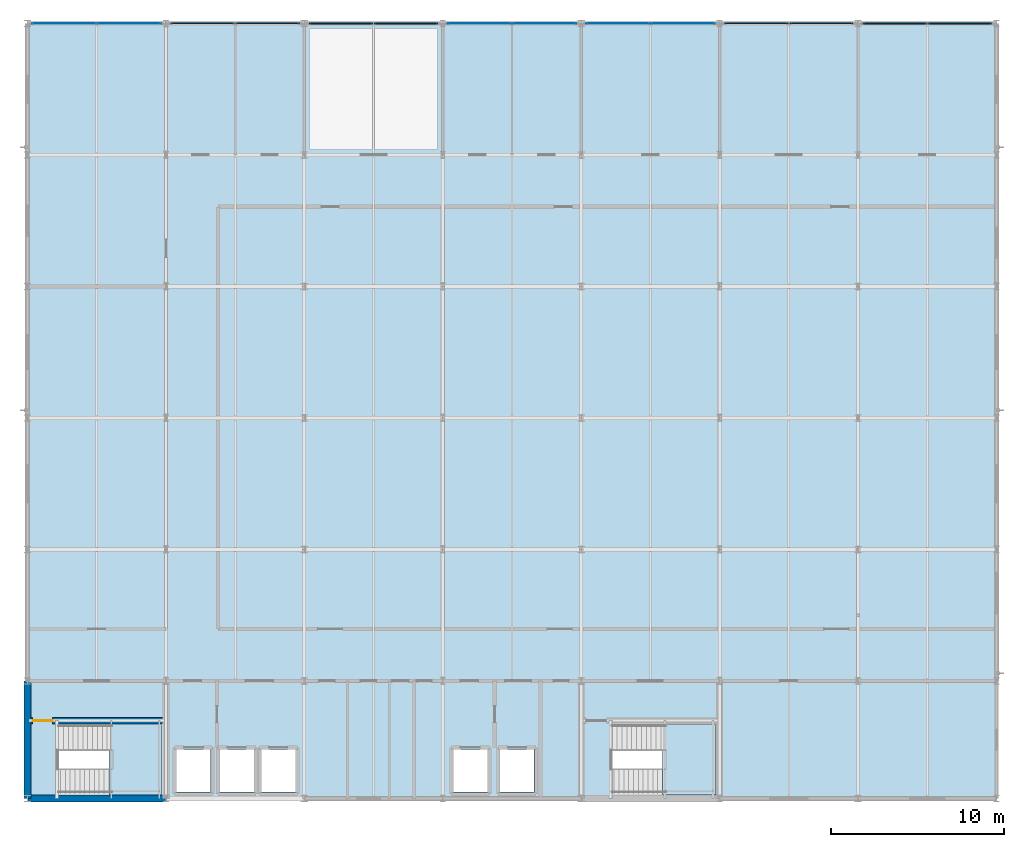
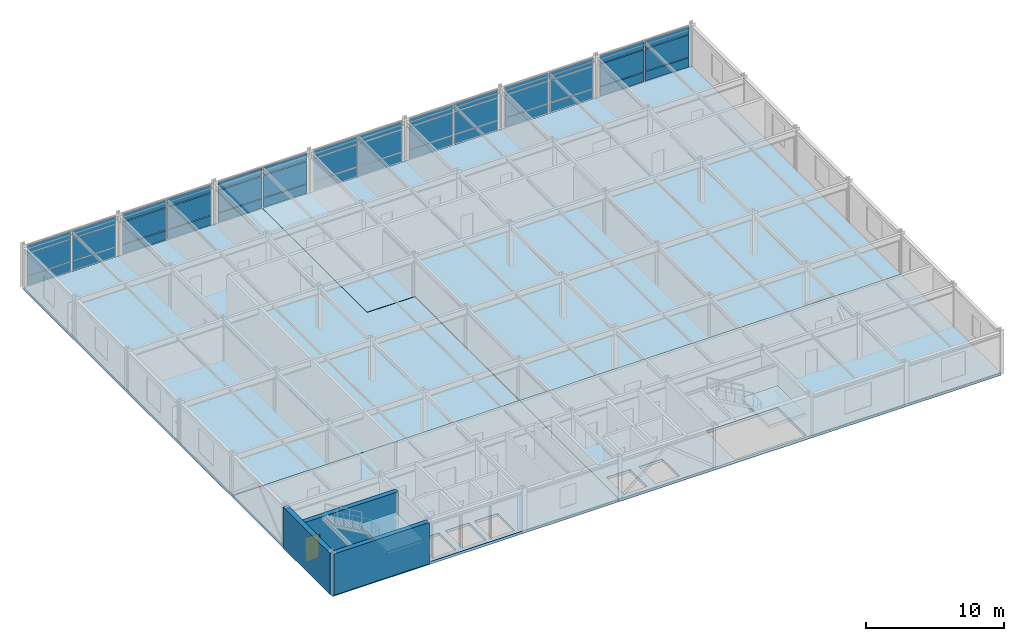
# One storey, part 10 of 18: 42 plates, 6 slabs, 3 walls, 1 door, 1 opening, 9 elements without a shape of their own.
"""IFC4 building model written with IfcOpenShell, lengths in metres."""

from ifc_helpers import new_model, si_unit, direction, frame, frame_2d, origin, origin_2d, place, context, subcontext, project, spatial, polyline, rectangle, outline, extrude, material, layer, layer_set, type_object, element, fill, aggregate, save


model = new_model("IFC4")

# Units and contexts
model_context = context("Model", 3, precision=1e-05, world=origin(), true_north=direction((0.0, 1.0)))
body_context = subcontext(model_context, "Body", "Model", "MODEL_VIEW")
ifc_project = project(units=[si_unit("LENGTHUNIT", "METRE"), si_unit("AREAUNIT", "SQUARE_METRE"), si_unit("VOLUMEUNIT", "CUBIC_METRE"), si_unit("PLANEANGLEUNIT", "RADIAN"), si_unit("MASSUNIT", "GRAM", prefix="KILO")], contexts=[model_context])

# Site, building, storey
site_placement = place(None, origin())
site = spatial("IfcSite", under=ifc_project, at=site_placement, CompositionType="ELEMENT")
building_placement = place(site_placement, origin())
building = spatial("IfcBuilding", under=site, at=building_placement, Name="Shalkamar Park Central Library", CompositionType="ELEMENT")
storey_placement = place(building_placement, frame((0.0, 0.0, 24.300048828125)))
storey = spatial("IfcBuildingStorey", under=building, at=storey_placement, Name="L06", CompositionType="ELEMENT", Elevation=24.300048828125)

# Curtain wall, plates
ifc_material_1 = material(Name="Thermally broken aluminium and triple low-e curtain wall", Category="aluminium")
ifc_layer_1 = layer(ifc_material_1, 0.27001953125)
ifc_layer_set_1 = layer_set([ifc_layer_1], Name="UnitisedCurtainWall_70")
curtain_wall_type_1 = type_object("IfcCurtainWallType", Name="Unitised Curtain Wall 70", PredefinedType="USERDEFINED", material=ifc_layer_set_1)
curtain_wall_1_placement = place(storey_placement, origin())
curtain_wall_1 = element("IfcCurtainWall", 1, at=curtain_wall_1_placement, inside=storey, type_object=curtain_wall_type_1, Name="Unitised Curtain Wall CW-L06-092", ObjectType="UNITISED CURTAIN WALL", PredefinedType="USERDEFINED")
ifc_material_2 = material(Name="Triple-glazed solar-control glass", Category="glass")
ifc_layer_2 = layer(ifc_material_2, 0.031982421875)
ifc_layer_set_2 = layer_set([ifc_layer_2], Name="SolarControlVisionPanel_32")
plate_type_1 = type_object("IfcPlateType", Name="Solar Control Vision Panel 32", PredefinedType="CURTAIN_PANEL", material=ifc_layer_set_2)
plate_1_placement = place(storey_placement, frame((191.120361328125, 293.199951171875, 0.06494140625), z_axis=(0.0, 0.0, 1.0), x_axis=(1.0, 0.0, 0.0)))
plate_1 = element("IfcPlate", 2, at=plate_1_placement, type_object=plate_type_1, Name="CW-70 panel 1.1", PredefinedType="CURTAIN_PANEL", context=body_context, shape_type="SweptSolid", body=[
    extrude(rectangle(XDim=3.677734375, YDim=0.031982421875, at=origin_2d()), origin(), (0.0, 0.0, 1.0), 0.802490234375),
])
plate_2_placement = place(storey_placement, frame((191.120361328125, 293.199951171875, 0.9326171875), z_axis=(0.0, 0.0, 1.0), x_axis=(1.0, 0.0, 0.0)))
plate_2 = element("IfcPlate", 3, at=plate_2_placement, type_object=plate_type_1, Name="CW-70 panel 1.2", PredefinedType="CURTAIN_PANEL", context=body_context, shape_type="SweptSolid", body=[
    extrude(rectangle(XDim=3.677734375, YDim=0.031982421875, at=origin_2d()), origin(), (0.0, 0.0, 1.0), 1.945068359375),
])
plate_3_placement = place(storey_placement, frame((191.120361328125, 293.199951171875, 2.9423828125), z_axis=(0.0, 0.0, 1.0), x_axis=(1.0, 0.0, 0.0)))
plate_3 = element("IfcPlate", 4, at=plate_3_placement, type_object=plate_type_1, Name="CW-70 panel 1.3", PredefinedType="CURTAIN_PANEL", context=body_context, shape_type="SweptSolid", body=[
    extrude(rectangle(XDim=3.677734375, YDim=0.031982421875, at=origin_2d()), origin(), (0.0, 0.0, 1.0), 0.652587890625),
])
plate_4_placement = place(storey_placement, frame((194.878173828125, 293.199951171875, 0.06494140625), z_axis=(0.0, 0.0, 1.0), x_axis=(1.0, 0.0, 0.0)))
plate_4 = element("IfcPlate", 5, at=plate_4_placement, type_object=plate_type_1, Name="CW-70 panel 2.1", PredefinedType="CURTAIN_PANEL", context=body_context, shape_type="SweptSolid", body=[
    extrude(rectangle(XDim=3.677734375, YDim=0.031982421875, at=origin_2d()), origin(), (0.0, 0.0, 1.0), 0.802490234375),
])
plate_5_placement = place(storey_placement, frame((194.878173828125, 293.199951171875, 0.9326171875), z_axis=(0.0, 0.0, 1.0), x_axis=(1.0, 0.0, 0.0)))
plate_5 = element("IfcPlate", 6, at=plate_5_placement, type_object=plate_type_1, Name="CW-70 panel 2.2", PredefinedType="CURTAIN_PANEL", context=body_context, shape_type="SweptSolid", body=[
    extrude(rectangle(XDim=3.677734375, YDim=0.031982421875, at=origin_2d()), origin(), (0.0, 0.0, 1.0), 1.945068359375),
])
plate_6_placement = place(storey_placement, frame((194.878173828125, 293.199951171875, 2.9423828125), z_axis=(0.0, 0.0, 1.0), x_axis=(1.0, 0.0, 0.0)))
plate_6 = element("IfcPlate", 7, at=plate_6_placement, type_object=plate_type_1, Name="CW-70 panel 2.3", PredefinedType="CURTAIN_PANEL", context=body_context, shape_type="SweptSolid", body=[
    extrude(rectangle(XDim=3.677734375, YDim=0.031982421875, at=origin_2d()), origin(), (0.0, 0.0, 1.0), 0.652587890625),
])
aggregate(curtain_wall_1, [plate_1, plate_2, plate_3, plate_4, plate_5, plate_6])

ifc_layer_3 = layer(ifc_material_1, 0.2548828125)
ifc_layer_set_3 = layer_set([ifc_layer_3], Name="UnitisedCurtainWall_69")
curtain_wall_type_2 = type_object("IfcCurtainWallType", Name="Unitised Curtain Wall 69", PredefinedType="USERDEFINED", material=ifc_layer_set_3)
curtain_wall_2_placement = place(storey_placement, origin())
curtain_wall_2 = element("IfcCurtainWall", 8, at=curtain_wall_2_placement, inside=storey, type_object=curtain_wall_type_2, Name="Unitised Curtain Wall CW-L06-091", ObjectType="UNITISED CURTAIN WALL", PredefinedType="USERDEFINED")
ifc_material_3 = material(Name="Insulated aluminium spandrel panel", Category="aluminium")
ifc_layer_4 = layer(ifc_material_3, 0.080078125)
ifc_layer_set_4 = layer_set([ifc_layer_4], Name="SpandrelShadowboxPanel_80")
plate_type_2 = type_object("IfcPlateType", Name="Spandrel Shadowbox Panel 80", PredefinedType="CURTAIN_PANEL", material=ifc_layer_set_4)
plate_7_placement = place(storey_placement, frame((183.121826171875, 293.199951171875, 0.06494140625), z_axis=(0.0, 0.0, 1.0), x_axis=(1.0, 0.0, 0.0)))
plate_7 = element("IfcPlate", 9, at=plate_7_placement, type_object=plate_type_2, Name="CW-69 panel 1.1", PredefinedType="CURTAIN_PANEL", context=body_context, shape_type="SweptSolid", body=[
    extrude(rectangle(XDim=3.677734375, YDim=0.080078125, at=origin_2d()), origin(), (0.0, 0.0, 1.0), 0.802490234375),
])
plate_8_placement = place(storey_placement, frame((183.121826171875, 293.199951171875, 0.9326171875), z_axis=(0.0, 0.0, 1.0), x_axis=(1.0, 0.0, 0.0)))
plate_8 = element("IfcPlate", 10, at=plate_8_placement, type_object=plate_type_2, Name="CW-69 panel 1.2", PredefinedType="CURTAIN_PANEL", context=body_context, shape_type="SweptSolid", body=[
    extrude(rectangle(XDim=3.677734375, YDim=0.080078125, at=origin_2d()), origin(), (0.0, 0.0, 1.0), 1.945068359375),
])
plate_9_placement = place(storey_placement, frame((183.121826171875, 293.199951171875, 2.9423828125), z_axis=(0.0, 0.0, 1.0), x_axis=(1.0, 0.0, 0.0)))
plate_9 = element("IfcPlate", 11, at=plate_9_placement, type_object=plate_type_2, Name="CW-69 panel 1.3", PredefinedType="CURTAIN_PANEL", context=body_context, shape_type="SweptSolid", body=[
    extrude(rectangle(XDim=3.677734375, YDim=0.080078125, at=origin_2d()), origin(), (0.0, 0.0, 1.0), 0.652587890625),
])
plate_10_placement = place(storey_placement, frame((186.879638671875, 293.199951171875, 0.06494140625), z_axis=(0.0, 0.0, 1.0), x_axis=(1.0, 0.0, 0.0)))
plate_10 = element("IfcPlate", 12, at=plate_10_placement, type_object=plate_type_2, Name="CW-69 panel 2.1", PredefinedType="CURTAIN_PANEL", context=body_context, shape_type="SweptSolid", body=[
    extrude(rectangle(XDim=3.677734375, YDim=0.080078125, at=origin_2d()), origin(), (0.0, 0.0, 1.0), 0.802490234375),
])
plate_11_placement = place(storey_placement, frame((186.879638671875, 293.199951171875, 0.9326171875), z_axis=(0.0, 0.0, 1.0), x_axis=(1.0, 0.0, 0.0)))
plate_11 = element("IfcPlate", 13, at=plate_11_placement, type_object=plate_type_2, Name="CW-69 panel 2.2", PredefinedType="CURTAIN_PANEL", context=body_context, shape_type="SweptSolid", body=[
    extrude(rectangle(XDim=3.677734375, YDim=0.080078125, at=origin_2d()), origin(), (0.0, 0.0, 1.0), 1.945068359375),
])
plate_12_placement = place(storey_placement, frame((186.879638671875, 293.199951171875, 2.9423828125), z_axis=(0.0, 0.0, 1.0), x_axis=(1.0, 0.0, 0.0)))
plate_12 = element("IfcPlate", 14, at=plate_12_placement, type_object=plate_type_2, Name="CW-69 panel 2.3", PredefinedType="CURTAIN_PANEL", context=body_context, shape_type="SweptSolid", body=[
    extrude(rectangle(XDim=3.677734375, YDim=0.080078125, at=origin_2d()), origin(), (0.0, 0.0, 1.0), 0.652587890625),
])
aggregate(curtain_wall_2, [plate_7, plate_8, plate_9, plate_10, plate_11, plate_12])

ifc_layer_5 = layer(ifc_material_1, 0.25)
ifc_layer_set_5 = layer_set([ifc_layer_5], Name="UnitisedCurtainWall_68")
curtain_wall_type_3 = type_object("IfcCurtainWallType", Name="Unitised Curtain Wall 68", PredefinedType="USERDEFINED", material=ifc_layer_set_5)
curtain_wall_3_placement = place(storey_placement, origin())
curtain_wall_3 = element("IfcCurtainWall", 15, at=curtain_wall_3_placement, inside=storey, type_object=curtain_wall_type_3, Name="Unitised Curtain Wall CW-L06-095", ObjectType="UNITISED CURTAIN WALL", PredefinedType="USERDEFINED")
plate_13_placement = place(storey_placement, frame((215.12060546875, 293.199951171875, 0.059814453125), z_axis=(0.0, 0.0, 1.0), x_axis=(1.0, 0.0, 0.0)))
plate_13 = element("IfcPlate", 16, at=plate_13_placement, type_object=plate_type_2, Name="CW-68 panel 1.1", PredefinedType="CURTAIN_PANEL", context=body_context, shape_type="SweptSolid", body=[
    extrude(rectangle(XDim=3.685302734375, YDim=0.080078125, at=origin_2d()), origin(), (0.0, 0.0, 1.0), 0.81005859375),
])
plate_14_placement = place(storey_placement, frame((215.12060546875, 293.199951171875, 0.93017578125), z_axis=(0.0, 0.0, 1.0), x_axis=(1.0, 0.0, 0.0)))
plate_14 = element("IfcPlate", 17, at=plate_14_placement, type_object=plate_type_2, Name="CW-68 panel 1.2", PredefinedType="CURTAIN_PANEL", context=body_context, shape_type="SweptSolid", body=[
    extrude(rectangle(XDim=3.685302734375, YDim=0.080078125, at=origin_2d()), origin(), (0.0, 0.0, 1.0), 1.949951171875),
])
plate_15_placement = place(storey_placement, frame((215.12060546875, 293.199951171875, 2.93994140625), z_axis=(0.0, 0.0, 1.0), x_axis=(1.0, 0.0, 0.0)))
plate_15 = element("IfcPlate", 18, at=plate_15_placement, type_object=plate_type_2, Name="CW-68 panel 1.3", PredefinedType="CURTAIN_PANEL", context=body_context, shape_type="SweptSolid", body=[
    extrude(rectangle(XDim=3.685302734375, YDim=0.080078125, at=origin_2d()), origin(), (0.0, 0.0, 1.0), 0.659912109375),
])
plate_16_placement = place(storey_placement, frame((218.880859375, 293.199951171875, 0.059814453125), z_axis=(0.0, 0.0, 1.0), x_axis=(1.0, 0.0, 0.0)))
plate_16 = element("IfcPlate", 19, at=plate_16_placement, type_object=plate_type_2, Name="CW-68 panel 2.1", PredefinedType="CURTAIN_PANEL", context=body_context, shape_type="SweptSolid", body=[
    extrude(rectangle(XDim=3.685302734375, YDim=0.080078125, at=origin_2d()), origin(), (0.0, 0.0, 1.0), 0.81005859375),
])
plate_17_placement = place(storey_placement, frame((218.880859375, 293.199951171875, 0.93017578125), z_axis=(0.0, 0.0, 1.0), x_axis=(1.0, 0.0, 0.0)))
plate_17 = element("IfcPlate", 20, at=plate_17_placement, type_object=plate_type_2, Name="CW-68 panel 2.2", PredefinedType="CURTAIN_PANEL", context=body_context, shape_type="SweptSolid", body=[
    extrude(rectangle(XDim=3.685302734375, YDim=0.080078125, at=origin_2d()), origin(), (0.0, 0.0, 1.0), 1.949951171875),
])
plate_18_placement = place(storey_placement, frame((218.880859375, 293.199951171875, 2.93994140625), z_axis=(0.0, 0.0, 1.0), x_axis=(1.0, 0.0, 0.0)))
plate_18 = element("IfcPlate", 21, at=plate_18_placement, type_object=plate_type_2, Name="CW-68 panel 2.3", PredefinedType="CURTAIN_PANEL", context=body_context, shape_type="SweptSolid", body=[
    extrude(rectangle(XDim=3.685302734375, YDim=0.080078125, at=origin_2d()), origin(), (0.0, 0.0, 1.0), 0.659912109375),
])
aggregate(curtain_wall_3, [plate_13, plate_14, plate_15, plate_16, plate_17, plate_18])

# Stair, slab
ifc_material_4 = material(Name="Concrete C35/45", Category="concrete")
stair_type = type_object("IfcStairType", Name="Protected Dog Leg Stair 150x390", PredefinedType="TWO_STRAIGHT_RUN_STAIR", material=ifc_material_4)
stair_1_placement = place(storey_placement, origin())
stair_1 = element("IfcStair", 22, at=stair_1_placement, inside=storey, type_object=stair_type, Name="Protected Core Stair ST-T1-L06", PredefinedType="TWO_STRAIGHT_RUN_STAIR")
ifc_layer_6 = layer(ifc_material_4, 0.280029296875)
ifc_layer_set_6 = layer_set([ifc_layer_6], Name="Concrete C35/45")
slab_type_1 = type_object("IfcSlabType", Name="Stair Landing Slab 160", PredefinedType="LANDING", material=ifc_layer_set_6)
slab_1_placement = place(storey_placement, frame((0.0, 0.0, 1.669921875)))
slab_1 = element("IfcSlab", 23, at=slab_1_placement, type_object=slab_type_1, Name="ST-T1-L06 landing 1", PredefinedType="LANDING", context=body_context, shape_type="SweptSolid", body=[
    extrude(outline(polyline([(169.699951171875, 248.6201171875), (172.780029296875, 248.6201171875), (172.780029296875, 252.679931640625), (169.699951171875, 252.679931640625), (169.699951171875, 248.6201171875)])), origin(), (0.0, 0.0, 1.0), 0.280029296875),
])
aggregate(stair_1, [slab_1])

stair_2_placement = place(storey_placement, origin())
stair_2 = element("IfcStair", 24, at=stair_2_placement, inside=storey, type_object=stair_type, Name="Protected Core Stair ST-T2-L06", PredefinedType="TWO_STRAIGHT_RUN_STAIR")
slab_2_placement = place(storey_placement, frame((0.0, 0.0, 1.669921875)))
slab_2 = element("IfcSlab", 25, at=slab_2_placement, type_object=slab_type_1, Name="ST-T2-L06 landing 1", PredefinedType="LANDING", context=body_context, shape_type="SweptSolid", body=[
    extrude(outline(polyline([(201.699951171875, 248.6201171875), (204.780029296875, 248.6201171875), (204.780029296875, 252.679931640625), (201.699951171875, 252.679931640625), (201.699951171875, 248.6201171875)])), origin(), (0.0, 0.0, 1.0), 0.280029296875),
])
aggregate(stair_2, [slab_2])

# Slabs
ifc_layer_7 = layer(ifc_material_4, 0.239990234375)
ifc_layer_set_7 = layer_set([ifc_layer_7], Name="Concrete C35/45")
slab_type_2 = type_object("IfcSlabType", Name="Suspended Floor Slab 240", PredefinedType="FLOOR", material=ifc_layer_set_7)
slab_3_placement = place(storey_placement, frame((0.0, 0.0, -0.239990234375)))
element("IfcSlab", 26, at=slab_3_placement, inside=storey, type_object=slab_type_2, Name="Level L06 Composite Floor Slab NW", PredefinedType="FLOOR", context=body_context, shape_type="SweptSolid", body=[
    extrude(outline(polyline([(165.0, 262.800048828125), (188.989990234375, 262.800048828125), (188.989990234375, 277.989990234375), (184.989990234375, 277.989990234375), (184.989990234375, 293.199951171875), (165.0, 293.199951171875), (165.0, 262.800048828125)])), origin(), (0.0, 0.0, 1.0), 0.239990234375),
])
slab_4_placement = place(storey_placement, frame((0.0, 0.0, -0.239990234375)))
element("IfcSlab", 27, at=slab_4_placement, inside=storey, type_object=slab_type_2, Name="Level L06 Composite Floor Slab NE", PredefinedType="FLOOR", context=body_context, shape_type="SweptSolid", body=[
    extrude(outline(polyline([(189.010009765625, 262.800048828125), (221.0, 262.800048828125), (221.0, 293.199951171875), (185.010009765625, 293.199951171875), (185.010009765625, 278.010009765625), (189.010009765625, 278.010009765625), (189.010009765625, 262.800048828125)])), origin(), (0.0, 0.0, 1.0), 0.239990234375),
])
slab_5_placement = place(storey_placement, frame((0.0, 0.0, -0.239990234375)))
element("IfcSlab", 28, at=slab_5_placement, inside=storey, type_object=slab_type_2, Name="Level L06 Composite Floor Slab SW", PredefinedType="FLOOR", context=body_context, shape_type="SweptSolid", body=[
    extrude(outline(polyline([(165.0, 248.39990234375), (165.0, 262.800048828125), (189.0, 262.800048828125), (189.0, 248.39990234375), (165.0, 248.39990234375)]), holes=[polyline([(173.6201171875, 248.77001953125), (175.580078125, 248.77001953125), (175.580078125, 251.22998046875), (173.6201171875, 251.22998046875), (173.6201171875, 248.77001953125)]), polyline([(176.1201171875, 251.22998046875), (176.1201171875, 248.77001953125), (178.080078125, 248.77001953125), (178.080078125, 251.22998046875), (176.1201171875, 251.22998046875)]), polyline([(178.52001953125, 251.22998046875), (178.52001953125, 248.77001953125), (180.47998046875, 248.77001953125), (180.47998046875, 251.22998046875), (178.52001953125, 251.22998046875)]), polyline([(166.800048828125, 252.699951171875), (166.800048828125, 248.60009765625), (172.800048828125, 248.60009765625), (172.800048828125, 252.699951171875), (166.800048828125, 252.699951171875)])]), origin(), (0.0, 0.0, 1.0), 0.239990234375),
])
slab_6_placement = place(storey_placement, frame((0.0, 0.0, -0.239990234375)))
element("IfcSlab", 29, at=slab_6_placement, inside=storey, type_object=slab_type_2, Name="Level L06 Composite Floor Slab SE", PredefinedType="FLOOR", context=body_context, shape_type="SweptSolid", body=[
    extrude(outline(polyline([(189.0, 248.39990234375), (189.0, 262.800048828125), (221.0, 262.800048828125), (221.0, 248.39990234375), (189.0, 248.39990234375)]), holes=[polyline([(189.6201171875, 251.22998046875), (189.6201171875, 248.77001953125), (191.580078125, 248.77001953125), (191.580078125, 251.22998046875), (189.6201171875, 251.22998046875)]), polyline([(192.320068359375, 251.22998046875), (192.320068359375, 248.77001953125), (194.280029296875, 248.77001953125), (194.280029296875, 251.22998046875), (192.320068359375, 251.22998046875)]), polyline([(198.800048828125, 252.699951171875), (198.800048828125, 248.60009765625), (204.800048828125, 248.60009765625), (204.800048828125, 252.699951171875), (198.800048828125, 252.699951171875)])]), origin(), (0.0, 0.0, 1.0), 0.239990234375),
])

# Curtain wall, plates
ifc_layer_8 = layer(ifc_material_1, 0.260009765625)
ifc_layer_set_8 = layer_set([ifc_layer_8], Name="UnitisedCurtainWall_72")
curtain_wall_type_4 = type_object("IfcCurtainWallType", Name="Unitised Curtain Wall 72", PredefinedType="USERDEFINED", material=ifc_layer_set_8)
curtain_wall_4_placement = place(storey_placement, origin())
curtain_wall_4 = element("IfcCurtainWall", 30, at=curtain_wall_4_placement, inside=storey, type_object=curtain_wall_type_4, Name="Unitised Curtain Wall CW-L06-090", ObjectType="UNITISED CURTAIN WALL", PredefinedType="USERDEFINED")
ifc_material_5 = material(Name="Triple-glazed laminated glass", Category="glass")
ifc_layer_9 = layer(ifc_material_5, 0.06005859375)
ifc_layer_set_9 = layer_set([ifc_layer_9], Name="TripleGlazedPodiumPanel_60")
plate_type_3 = type_object("IfcPlateType", Name="Triple Glazed Podium Panel 60", PredefinedType="CURTAIN_PANEL", material=ifc_layer_set_9)
plate_19_placement = place(storey_placement, frame((175.119140625, 293.199951171875, 0.059814453125), z_axis=(0.0, 0.0, 1.0), x_axis=(1.0, 0.0, 0.0)))
plate_19 = element("IfcPlate", 31, at=plate_19_placement, type_object=plate_type_3, Name="CW-72 panel 1.1", PredefinedType="CURTAIN_PANEL", context=body_context, shape_type="SweptSolid", body=[
    extrude(rectangle(XDim=3.685302734375, YDim=0.06005859375, at=origin_2d()), origin(), (0.0, 0.0, 1.0), 0.81005859375),
])
plate_20_placement = place(storey_placement, frame((175.119140625, 293.199951171875, 0.93017578125), z_axis=(0.0, 0.0, 1.0), x_axis=(1.0, 0.0, 0.0)))
plate_20 = element("IfcPlate", 32, at=plate_20_placement, type_object=plate_type_3, Name="CW-72 panel 1.2", PredefinedType="CURTAIN_PANEL", context=body_context, shape_type="SweptSolid", body=[
    extrude(rectangle(XDim=3.685302734375, YDim=0.06005859375, at=origin_2d()), origin(), (0.0, 0.0, 1.0), 1.949951171875),
])
plate_21_placement = place(storey_placement, frame((175.119140625, 293.199951171875, 2.93994140625), z_axis=(0.0, 0.0, 1.0), x_axis=(1.0, 0.0, 0.0)))
plate_21 = element("IfcPlate", 33, at=plate_21_placement, type_object=plate_type_3, Name="CW-72 panel 1.3", PredefinedType="CURTAIN_PANEL", context=body_context, shape_type="SweptSolid", body=[
    extrude(rectangle(XDim=3.685302734375, YDim=0.06005859375, at=origin_2d()), origin(), (0.0, 0.0, 1.0), 0.659912109375),
])
plate_22_placement = place(storey_placement, frame((178.87939453125, 293.199951171875, 0.059814453125), z_axis=(0.0, 0.0, 1.0), x_axis=(1.0, 0.0, 0.0)))
plate_22 = element("IfcPlate", 34, at=plate_22_placement, type_object=plate_type_3, Name="CW-72 panel 2.1", PredefinedType="CURTAIN_PANEL", context=body_context, shape_type="SweptSolid", body=[
    extrude(rectangle(XDim=3.685302734375, YDim=0.06005859375, at=origin_2d()), origin(), (0.0, 0.0, 1.0), 0.81005859375),
])
plate_23_placement = place(storey_placement, frame((178.87939453125, 293.199951171875, 0.93017578125), z_axis=(0.0, 0.0, 1.0), x_axis=(1.0, 0.0, 0.0)))
plate_23 = element("IfcPlate", 35, at=plate_23_placement, type_object=plate_type_3, Name="CW-72 panel 2.2", PredefinedType="CURTAIN_PANEL", context=body_context, shape_type="SweptSolid", body=[
    extrude(rectangle(XDim=3.685302734375, YDim=0.06005859375, at=origin_2d()), origin(), (0.0, 0.0, 1.0), 1.949951171875),
])
plate_24_placement = place(storey_placement, frame((178.87939453125, 293.199951171875, 2.93994140625), z_axis=(0.0, 0.0, 1.0), x_axis=(1.0, 0.0, 0.0)))
plate_24 = element("IfcPlate", 36, at=plate_24_placement, type_object=plate_type_3, Name="CW-72 panel 2.3", PredefinedType="CURTAIN_PANEL", context=body_context, shape_type="SweptSolid", body=[
    extrude(rectangle(XDim=3.685302734375, YDim=0.06005859375, at=origin_2d()), origin(), (0.0, 0.0, 1.0), 0.659912109375),
])
aggregate(curtain_wall_4, [plate_19, plate_20, plate_21, plate_22, plate_23, plate_24])

ifc_layer_10 = layer(ifc_material_1, 0.280029296875)
ifc_layer_set_10 = layer_set([ifc_layer_10], Name="UnitisedCurtainWall_67")
curtain_wall_type_5 = type_object("IfcCurtainWallType", Name="Unitised Curtain Wall 67", PredefinedType="USERDEFINED", material=ifc_layer_set_10)
curtain_wall_5_placement = place(storey_placement, origin())
curtain_wall_5 = element("IfcCurtainWall", 37, at=curtain_wall_5_placement, inside=storey, type_object=curtain_wall_type_5, Name="Unitised Curtain Wall CW-L06-094", ObjectType="UNITISED CURTAIN WALL", PredefinedType="USERDEFINED")
plate_25_placement = place(storey_placement, frame((207.122802734375, 293.199951171875, 0.070068359375), z_axis=(0.0, 0.0, 1.0), x_axis=(1.0, 0.0, 0.0)))
plate_25 = element("IfcPlate", 38, at=plate_25_placement, type_object=plate_type_3, Name="CW-67 panel 1.1", PredefinedType="CURTAIN_PANEL", context=body_context, shape_type="SweptSolid", body=[
    extrude(rectangle(XDim=3.662841796875, YDim=0.06005859375, at=origin_2d()), origin(), (0.0, 0.0, 1.0), 0.794921875),
])
plate_26_placement = place(storey_placement, frame((207.122802734375, 293.199951171875, 0.93505859375), z_axis=(0.0, 0.0, 1.0), x_axis=(1.0, 0.0, 0.0)))
plate_26 = element("IfcPlate", 39, at=plate_26_placement, type_object=plate_type_3, Name="CW-67 panel 1.2", PredefinedType="CURTAIN_PANEL", context=body_context, shape_type="SweptSolid", body=[
    extrude(rectangle(XDim=3.662841796875, YDim=0.06005859375, at=origin_2d()), origin(), (0.0, 0.0, 1.0), 1.93994140625),
])
plate_27_placement = place(storey_placement, frame((207.122802734375, 293.199951171875, 2.94482421875), z_axis=(0.0, 0.0, 1.0), x_axis=(1.0, 0.0, 0.0)))
plate_27 = element("IfcPlate", 40, at=plate_27_placement, type_object=plate_type_3, Name="CW-67 panel 1.3", PredefinedType="CURTAIN_PANEL", context=body_context, shape_type="SweptSolid", body=[
    extrude(rectangle(XDim=3.662841796875, YDim=0.06005859375, at=origin_2d()), origin(), (0.0, 0.0, 1.0), 0.64501953125),
])
plate_28_placement = place(storey_placement, frame((210.875732421875, 293.199951171875, 0.070068359375), z_axis=(0.0, 0.0, 1.0), x_axis=(1.0, 0.0, 0.0)))
plate_28 = element("IfcPlate", 41, at=plate_28_placement, type_object=plate_type_3, Name="CW-67 panel 2.1", PredefinedType="CURTAIN_PANEL", context=body_context, shape_type="SweptSolid", body=[
    extrude(rectangle(XDim=3.662841796875, YDim=0.06005859375, at=origin_2d()), origin(), (0.0, 0.0, 1.0), 0.794921875),
])
plate_29_placement = place(storey_placement, frame((210.875732421875, 293.199951171875, 0.93505859375), z_axis=(0.0, 0.0, 1.0), x_axis=(1.0, 0.0, 0.0)))
plate_29 = element("IfcPlate", 42, at=plate_29_placement, type_object=plate_type_3, Name="CW-67 panel 2.2", PredefinedType="CURTAIN_PANEL", context=body_context, shape_type="SweptSolid", body=[
    extrude(rectangle(XDim=3.662841796875, YDim=0.06005859375, at=origin_2d()), origin(), (0.0, 0.0, 1.0), 1.93994140625),
])
plate_30_placement = place(storey_placement, frame((210.875732421875, 293.199951171875, 2.94482421875), z_axis=(0.0, 0.0, 1.0), x_axis=(1.0, 0.0, 0.0)))
plate_30 = element("IfcPlate", 43, at=plate_30_placement, type_object=plate_type_3, Name="CW-67 panel 2.3", PredefinedType="CURTAIN_PANEL", context=body_context, shape_type="SweptSolid", body=[
    extrude(rectangle(XDim=3.662841796875, YDim=0.06005859375, at=origin_2d()), origin(), (0.0, 0.0, 1.0), 0.64501953125),
])
aggregate(curtain_wall_5, [plate_25, plate_26, plate_27, plate_28, plate_29, plate_30])

curtain_wall_6_placement = place(storey_placement, origin())
curtain_wall_6 = element("IfcCurtainWall", 44, at=curtain_wall_6_placement, inside=storey, type_object=curtain_wall_type_3, Name="Unitised Curtain Wall CW-L06-089", ObjectType="UNITISED CURTAIN WALL", PredefinedType="USERDEFINED")
ifc_material_6 = material(Name="Triple-glazed low-e safety glass", Category="glass")
ifc_layer_11 = layer(ifc_material_6, 0.0439453125)
ifc_layer_set_11 = layer_set([ifc_layer_11], Name="TripleGlazedVisionPanel_44")
plate_type_4 = type_object("IfcPlateType", Name="Triple Glazed Vision Panel 44", PredefinedType="CURTAIN_PANEL", material=ifc_layer_set_11)
plate_31_placement = place(storey_placement, frame((167.12060546875, 293.199951171875, 0.059814453125), z_axis=(0.0, 0.0, 1.0), x_axis=(1.0, 0.0, 0.0)))
plate_31 = element("IfcPlate", 45, at=plate_31_placement, type_object=plate_type_4, Name="CW-68 panel 1.1", PredefinedType="CURTAIN_PANEL", context=body_context, shape_type="SweptSolid", body=[
    extrude(rectangle(XDim=3.685302734375, YDim=0.0439453125, at=origin_2d()), origin(), (0.0, 0.0, 1.0), 0.81005859375),
])
plate_32_placement = place(storey_placement, frame((167.12060546875, 293.199951171875, 0.93017578125), z_axis=(0.0, 0.0, 1.0), x_axis=(1.0, 0.0, 0.0)))
plate_32 = element("IfcPlate", 46, at=plate_32_placement, type_object=plate_type_4, Name="CW-68 panel 1.2", PredefinedType="CURTAIN_PANEL", context=body_context, shape_type="SweptSolid", body=[
    extrude(rectangle(XDim=3.685302734375, YDim=0.0439453125, at=origin_2d()), origin(), (0.0, 0.0, 1.0), 1.949951171875),
])
plate_33_placement = place(storey_placement, frame((167.12060546875, 293.199951171875, 2.93994140625), z_axis=(0.0, 0.0, 1.0), x_axis=(1.0, 0.0, 0.0)))
plate_33 = element("IfcPlate", 47, at=plate_33_placement, type_object=plate_type_4, Name="CW-68 panel 1.3", PredefinedType="CURTAIN_PANEL", context=body_context, shape_type="SweptSolid", body=[
    extrude(rectangle(XDim=3.685302734375, YDim=0.0439453125, at=origin_2d()), origin(), (0.0, 0.0, 1.0), 0.659912109375),
])
plate_34_placement = place(storey_placement, frame((170.880859375, 293.199951171875, 0.059814453125), z_axis=(0.0, 0.0, 1.0), x_axis=(1.0, 0.0, 0.0)))
plate_34 = element("IfcPlate", 48, at=plate_34_placement, type_object=plate_type_4, Name="CW-68 panel 2.1", PredefinedType="CURTAIN_PANEL", context=body_context, shape_type="SweptSolid", body=[
    extrude(rectangle(XDim=3.685302734375, YDim=0.0439453125, at=origin_2d()), origin(), (0.0, 0.0, 1.0), 0.81005859375),
])
plate_35_placement = place(storey_placement, frame((170.880859375, 293.199951171875, 0.93017578125), z_axis=(0.0, 0.0, 1.0), x_axis=(1.0, 0.0, 0.0)))
plate_35 = element("IfcPlate", 49, at=plate_35_placement, type_object=plate_type_4, Name="CW-68 panel 2.2", PredefinedType="CURTAIN_PANEL", context=body_context, shape_type="SweptSolid", body=[
    extrude(rectangle(XDim=3.685302734375, YDim=0.0439453125, at=origin_2d()), origin(), (0.0, 0.0, 1.0), 1.949951171875),
])
plate_36_placement = place(storey_placement, frame((170.880859375, 293.199951171875, 2.93994140625), z_axis=(0.0, 0.0, 1.0), x_axis=(1.0, 0.0, 0.0)))
plate_36 = element("IfcPlate", 50, at=plate_36_placement, type_object=plate_type_4, Name="CW-68 panel 2.3", PredefinedType="CURTAIN_PANEL", context=body_context, shape_type="SweptSolid", body=[
    extrude(rectangle(XDim=3.685302734375, YDim=0.0439453125, at=origin_2d()), origin(), (0.0, 0.0, 1.0), 0.659912109375),
])
aggregate(curtain_wall_6, [plate_31, plate_32, plate_33, plate_34, plate_35, plate_36])

ifc_layer_12 = layer(ifc_material_1, 0.264892578125)
ifc_layer_set_12 = layer_set([ifc_layer_12], Name="UnitisedCurtainWall_73")
curtain_wall_type_6 = type_object("IfcCurtainWallType", Name="Unitised Curtain Wall 73", PredefinedType="USERDEFINED", material=ifc_layer_set_12)
curtain_wall_7_placement = place(storey_placement, origin())
curtain_wall_7 = element("IfcCurtainWall", 51, at=curtain_wall_7_placement, inside=storey, type_object=curtain_wall_type_6, Name="Unitised Curtain Wall CW-L06-093", ObjectType="UNITISED CURTAIN WALL", PredefinedType="USERDEFINED")
plate_37_placement = place(storey_placement, frame((199.123046875, 293.199951171875, 0.070068359375), z_axis=(0.0, 0.0, 1.0), x_axis=(1.0, 0.0, 0.0)))
plate_37 = element("IfcPlate", 52, at=plate_37_placement, type_object=plate_type_4, Name="CW-73 panel 1.1", PredefinedType="CURTAIN_PANEL", context=body_context, shape_type="SweptSolid", body=[
    extrude(rectangle(XDim=3.670166015625, YDim=0.0439453125, at=origin_2d()), origin(), (0.0, 0.0, 1.0), 0.794921875),
])
plate_38_placement = place(storey_placement, frame((199.123046875, 293.199951171875, 0.93505859375), z_axis=(0.0, 0.0, 1.0), x_axis=(1.0, 0.0, 0.0)))
plate_38 = element("IfcPlate", 53, at=plate_38_placement, type_object=plate_type_4, Name="CW-73 panel 1.2", PredefinedType="CURTAIN_PANEL", context=body_context, shape_type="SweptSolid", body=[
    extrude(rectangle(XDim=3.670166015625, YDim=0.0439453125, at=origin_2d()), origin(), (0.0, 0.0, 1.0), 1.93994140625),
])
plate_39_placement = place(storey_placement, frame((199.123046875, 293.199951171875, 2.94482421875), z_axis=(0.0, 0.0, 1.0), x_axis=(1.0, 0.0, 0.0)))
plate_39 = element("IfcPlate", 54, at=plate_39_placement, type_object=plate_type_4, Name="CW-73 panel 1.3", PredefinedType="CURTAIN_PANEL", context=body_context, shape_type="SweptSolid", body=[
    extrude(rectangle(XDim=3.670166015625, YDim=0.0439453125, at=origin_2d()), origin(), (0.0, 0.0, 1.0), 0.64501953125),
])
plate_40_placement = place(storey_placement, frame((202.87841796875, 293.199951171875, 0.070068359375), z_axis=(0.0, 0.0, 1.0), x_axis=(1.0, 0.0, 0.0)))
plate_40 = element("IfcPlate", 55, at=plate_40_placement, type_object=plate_type_4, Name="CW-73 panel 2.1", PredefinedType="CURTAIN_PANEL", context=body_context, shape_type="SweptSolid", body=[
    extrude(rectangle(XDim=3.670166015625, YDim=0.0439453125, at=origin_2d()), origin(), (0.0, 0.0, 1.0), 0.794921875),
])
plate_41_placement = place(storey_placement, frame((202.87841796875, 293.199951171875, 0.93505859375), z_axis=(0.0, 0.0, 1.0), x_axis=(1.0, 0.0, 0.0)))
plate_41 = element("IfcPlate", 56, at=plate_41_placement, type_object=plate_type_4, Name="CW-73 panel 2.2", PredefinedType="CURTAIN_PANEL", context=body_context, shape_type="SweptSolid", body=[
    extrude(rectangle(XDim=3.670166015625, YDim=0.0439453125, at=origin_2d()), origin(), (0.0, 0.0, 1.0), 1.93994140625),
])
plate_42_placement = place(storey_placement, frame((202.87841796875, 293.199951171875, 2.94482421875), z_axis=(0.0, 0.0, 1.0), x_axis=(1.0, 0.0, 0.0)))
plate_42 = element("IfcPlate", 57, at=plate_42_placement, type_object=plate_type_4, Name="CW-73 panel 2.3", PredefinedType="CURTAIN_PANEL", context=body_context, shape_type="SweptSolid", body=[
    extrude(rectangle(XDim=3.670166015625, YDim=0.0439453125, at=origin_2d()), origin(), (0.0, 0.0, 1.0), 0.64501953125),
])
aggregate(curtain_wall_7, [plate_37, plate_38, plate_39, plate_40, plate_41, plate_42])

# Walls
ifc_material_7 = material(Name="Concrete C40/50", Category="concrete")
ifc_layer_13 = layer(ifc_material_7, 0.39990234375)
ifc_layer_set_13 = layer_set([ifc_layer_13], Name="Concrete C40/50")
wall_type = type_object("IfcWallType", Name="Tower Core Shear Wall 400", PredefinedType="SHEAR", material=ifc_layer_set_13)
wall_1_placement = place(storey_placement, frame((165.0, 248.39990234375, 0.0), z_axis=(0.0, 0.0, 1.0), x_axis=(1.0, 0.0, 0.0)))
element("IfcWall", 58, at=wall_1_placement, inside=storey, type_object=wall_type, Name="CORE-T1 South Shear Wall (L06)", PredefinedType="SHEAR", context=body_context, shape_type="SweptSolid", body=[
    extrude(rectangle(XDim=8.0, YDim=0.39990234375, at=frame_2d((4.0, 0.0))), origin(), (0.0, 0.0, 1.0), 3.659912109375),
])
wall_2_placement = place(storey_placement, frame((165.0, 248.39990234375, 0.0), z_axis=(0.0, 0.0, 1.0), x_axis=(0.0, 1.0, 0.0)))
element("IfcWall", 59, at=wall_2_placement, inside=storey, type_object=wall_type, Name="CORE-T1 West Shear Wall (L06)", PredefinedType="SHEAR", context=body_context, shape_type="SweptSolid", body=[
    extrude(rectangle(XDim=6.800048828125, YDim=0.39990234375, at=frame_2d((3.39990234375, 0.0))), origin(), (0.0, 0.0, 1.0), 3.659912109375),
])

# Wall, opening, door
wall_3_placement = place(storey_placement, frame((165.0, 252.89990234375, 0.0), z_axis=(0.0, 0.0, 1.0), x_axis=(1.0, 0.0, 0.0)))
wall_3 = element("IfcWall", 60, at=wall_3_placement, inside=storey, type_object=wall_type, Name="CORE-T1 Stairwell Wall (L06)", PredefinedType="SHEAR", context=body_context, shape_type="SweptSolid", body=[
    extrude(rectangle(XDim=8.0, YDim=0.39990234375, at=frame_2d((4.0, 0.0))), origin(), (0.0, 0.0, 1.0), 3.659912109375),
])
opening_placement = place(wall_3_placement, frame((0.300048828125, 0.0, 0.0)))
opening = element("IfcOpeningElement", 61, at=opening_placement, cuts=wall_3, Name="Opening DR-ST-T1-L06-IN", PredefinedType="OPENING", context=body_context, shape_type="SweptSolid", body=[
    extrude(rectangle(XDim=1.14990234375, YDim=2.14990234375, at=frame_2d((0.574951171875, 1.074951171875))), frame((0.0, 0.21484375, 0.0), z_axis=(0.0, -1.0, 0.0), x_axis=(1.0, 0.0, 0.0)), (0.0, 0.0, 1.0), 0.4296875),
])
ifc_material_8 = material(Name="Steel S355", Category="steel")
door_type = type_object("IfcDoorType", Name="Stair Core Exit Door 1150x2150", OperationType="NOTDEFINED", PredefinedType="DOOR", material=ifc_material_8)
door_placement = place(opening_placement, frame((1.14990234375, 0.0, 0.0), z_axis=(0.0, 0.0, 1.0), x_axis=(-1.0, 0.0, 0.0)))
door = element("IfcDoor", 62, at=door_placement, inside=storey, type_object=door_type, Name="Protected Stair ST-T1 Exit Door (L06)", OperationType="SINGLE_SWING_RIGHT", OverallHeight=2.14990234375, OverallWidth=1.14990234375, PredefinedType="DOOR", context=body_context, shape_type="SweptSolid", body=[
    extrude(rectangle(XDim=1.14990234375, YDim=2.14990234375, at=frame_2d((0.574951171875, 1.074951171875))), frame((0.0, 0.02490234375, 0.0), z_axis=(0.0, -1.0, 0.0), x_axis=(1.0, 0.0, 0.0)), (0.0, 0.0, 1.0), 0.050048828125),
])
fill(opening, door)

save(model, "model.ifc")
